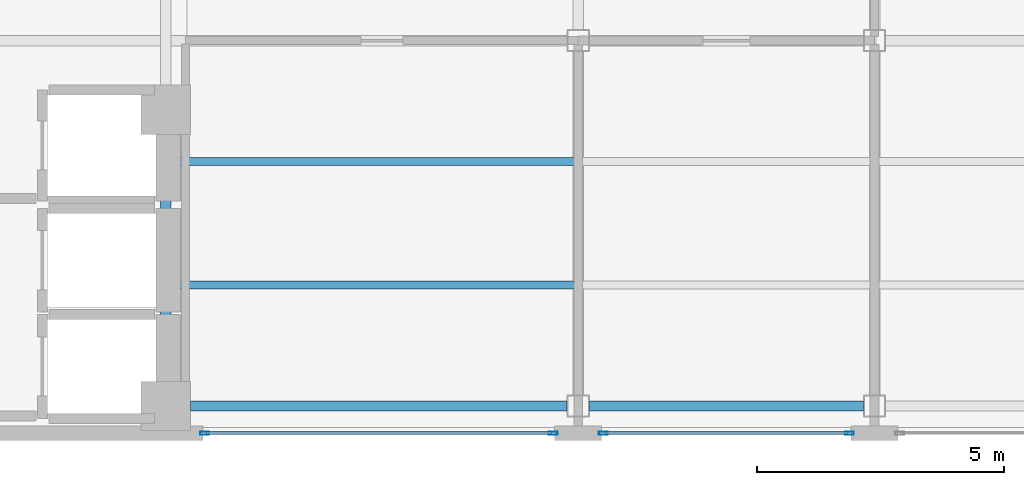
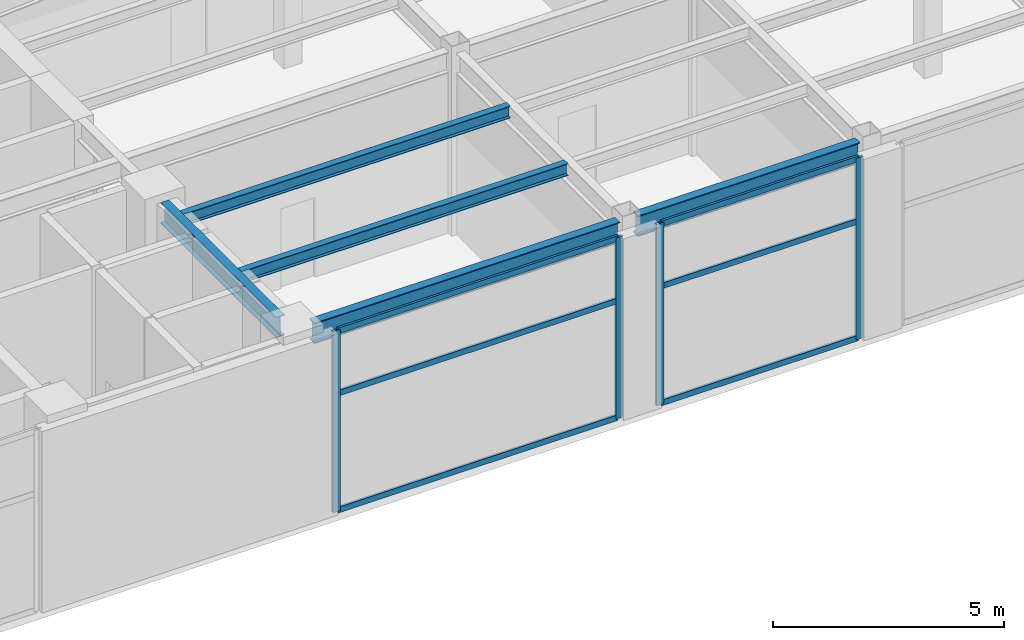
# One storey, part 4 of 16: 10 members, 5 beams, 2 elements without a shape of their own.
"""IFC4 building model written with IfcOpenShell, lengths in metres."""

from ifc_helpers import new_model, si_unit, direction, frame, origin, origin_2d, place, context, subcontext, project, spatial, hollow_rectangle, i_section, extrude, material, layer, layer_set, material_profile, profile_set, type_object, element, aggregate, save


model = new_model("IFC4")

# Units and contexts
model_context = context("Model", 3, precision=1e-05, world=origin(), true_north=direction((0.0, 1.0)))
body_context = subcontext(model_context, "Body", "Model", "MODEL_VIEW")
ifc_project = project(units=[si_unit("LENGTHUNIT", "METRE"), si_unit("AREAUNIT", "SQUARE_METRE"), si_unit("VOLUMEUNIT", "CUBIC_METRE"), si_unit("PLANEANGLEUNIT", "RADIAN"), si_unit("MASSUNIT", "GRAM", prefix="KILO")], contexts=[model_context])

# Site, building, storey
site_placement = place(None, origin())
site = spatial("IfcSite", under=ifc_project, at=site_placement, CompositionType="ELEMENT")
building_placement = place(site_placement, origin())
building = spatial("IfcBuilding", under=site, at=building_placement, Name="Mawjaban Terraces University", CompositionType="ELEMENT")
storey_placement = place(building_placement, frame((0.0, 0.0, 170.800048828125)))
storey = spatial("IfcBuildingStorey", under=building, at=storey_placement, Name="L41", CompositionType="ELEMENT", Elevation=170.800048828125)

# Beams
ifc_material_1 = material(Name="Steel ASTM A572 Grade 50", Category="steel")
ifc_material_profile_1 = material_profile(ifc_material_1, i_section(OverallWidth=0.2119140625, OverallDepth=0.5439453125, WebThickness=0.01318359375, FlangeThickness=0.021240234375, at=origin_2d()), Name="W530X123")
ifc_profile_set_1 = profile_set([ifc_material_profile_1], Name="Steel ASTM A572 Grade 50")
beam_type_1 = type_object("IfcBeamType", Name="Beam_B_W530X123", PredefinedType="BEAM", material=ifc_profile_set_1)
beam_1_placement = place(storey_placement, frame((38.14990234375, 0.550048828125, 4.51806640625), z_axis=(1.0, 0.0, 0.0), x_axis=(0.0, 1.0, 0.0)))
element("IfcBeam", 1, at=beam_1_placement, inside=storey, type_object=beam_type_1, Name="L41 Beam BM-L41-EW-01", PredefinedType="BEAM", context=body_context, shape_type="SweptSolid", body=[
    extrude(i_section(OverallWidth=0.2119140625, OverallDepth=0.5439453125, WebThickness=0.01318359375, FlangeThickness=0.021240234375, at=origin_2d()), origin(), (0.0, 0.0, 1.0), 7.625),
])
beam_2_placement = place(storey_placement, frame((46.22509765625, 0.550048828125, 4.51806640625), z_axis=(1.0, 0.0, 0.0), x_axis=(0.0, 1.0, 0.0)))
element("IfcBeam", 2, at=beam_2_placement, inside=storey, type_object=beam_type_1, Name="L41 Beam BM-L41-EW-02", PredefinedType="BEAM", context=body_context, shape_type="SweptSolid", body=[
    extrude(i_section(OverallWidth=0.2119140625, OverallDepth=0.5439453125, WebThickness=0.01318359375, FlangeThickness=0.021240234375, at=origin_2d()), origin(), (0.0, 0.0, 1.0), 5.5498046875),
])
beam_3_placement = place(storey_placement, frame((37.64990234375, 1.050048828125, 4.51806640625), z_axis=(0.0, 1.0, 0.0), x_axis=(-1.0, 0.0, 0.0)))
element("IfcBeam", 3, at=beam_3_placement, inside=storey, type_object=beam_type_1, Name="L41 Beam BM-L41-NS-05", PredefinedType="BEAM", context=body_context, shape_type="SweptSolid", body=[
    extrude(i_section(OverallWidth=0.2119140625, OverallDepth=0.5439453125, WebThickness=0.01318359375, FlangeThickness=0.021240234375, at=origin_2d()), origin(), (0.0, 0.0, 1.0), 5.0),
])
ifc_material_profile_2 = material_profile(ifc_material_1, i_section(OverallWidth=0.1669921875, OverallDepth=0.318115234375, WebThickness=0.007568359375, FlangeThickness=0.01318359375, at=origin_2d()), Name="W310X52")
ifc_profile_set_2 = profile_set([ifc_material_profile_2], Name="Steel ASTM A572 Grade 50")
beam_type_2 = type_object("IfcBeamType", Name="Beam_J_W310X52", PredefinedType="JOIST", material=ifc_profile_set_2)
for number, where, z_axis, x_axis, name in (
    (4, (37.72998046875, 3.0, 4.630859375), (1.0, 0.0, 0.0), (0.0, 1.0, 0.0), "L41 Composite Joist JST-L41-01"),
    (5, (37.72998046875, 5.5, 4.630859375), (1.0, 0.0, 0.0), (0.0, 1.0, 0.0), "L41 Composite Joist JST-L41-04"),
):
    element("IfcBeam", number, at=place(storey_placement, frame(where, z_axis=z_axis, x_axis=x_axis)), inside=storey, type_object=beam_type_2, Name=name, PredefinedType="JOIST", context=body_context, shape_type="SweptSolid", body=[
        extrude(i_section(OverallWidth=0.1669921875, OverallDepth=0.318115234375, WebThickness=0.007568359375, FlangeThickness=0.01318359375, at=origin_2d()), origin(), (0.0, 0.0, 1.0), 8.18994140625),
    ])

# Curtain wall, members
ifc_material_2 = material(Name="Anodised aluminium 6063-T6 and solar-control low-E glass", Category="aluminium")
ifc_layer = layer(ifc_material_2, 0.18994140625)
ifc_layer_set = layer_set([ifc_layer], Name="Anodised aluminium 6063-T6 and solar-control low-E glass")
curtain_wall_type = type_object("IfcCurtainWallType", Name="CWSystem_05_SkyLobby", PredefinedType="NOTDEFINED", material=ifc_layer_set)
curtain_wall_1_placement = place(storey_placement, origin())
curtain_wall_1 = element("IfcCurtainWall", 6, at=curtain_wall_1_placement, inside=storey, type_object=curtain_wall_type, Name="L41 Curtain Wall CW-05 Run 1.2", PredefinedType="NOTDEFINED")
ifc_material_3 = material(Name="Anodised aluminium 6063-T6", Category="aluminium")
ifc_material_profile_3 = material_profile(ifc_material_3, hollow_rectangle(XDim=0.06494140625, YDim=0.179931640625, WallThickness=0.00390625, at=origin_2d()), Name="ALU180X65X4")
ifc_profile_set_3 = profile_set([ifc_material_profile_3], Name="Anodised aluminium 6063-T6")
member_type_1 = type_object("IfcMemberType", Name="Mullion_CW-05", PredefinedType="MULLION", material=ifc_profile_set_3)
member_1_placement = place(storey_placement, frame((38.4326171875, 0.0, 0.0), z_axis=(0.0, 0.0, 1.0), x_axis=(0.0, 1.0, 0.0)))
member_1 = element("IfcMember", 7, at=member_1_placement, type_object=member_type_1, Name="CW-05 mullion 1", PredefinedType="MULLION", context=body_context, shape_type="SweptSolid", body=[
    extrude(hollow_rectangle(XDim=0.06494140625, YDim=0.179931640625, WallThickness=0.00390625, at=origin_2d()), origin(), (0.0, 0.0, 1.0), 4.7900390625),
])
member_2_placement = place(storey_placement, frame((45.492431640625, 0.0, 0.0), z_axis=(0.0, 0.0, 1.0), x_axis=(0.0, 1.0, 0.0)))
member_2 = element("IfcMember", 8, at=member_2_placement, type_object=member_type_1, Name="CW-05 mullion 2", PredefinedType="MULLION", context=body_context, shape_type="SweptSolid", body=[
    extrude(hollow_rectangle(XDim=0.06494140625, YDim=0.179931640625, WallThickness=0.00390625, at=origin_2d()), origin(), (0.0, 0.0, 1.0), 4.7900390625),
])

curtain_wall_2_placement = place(storey_placement, origin())
curtain_wall_2 = element("IfcCurtainWall", 9, at=curtain_wall_2_placement, inside=storey, type_object=curtain_wall_type, Name="L41 Curtain Wall CW-05 Run 1.3", PredefinedType="NOTDEFINED")
member_3_placement = place(storey_placement, frame((46.507568359375, 0.0, 0.0), z_axis=(0.0, 0.0, 1.0), x_axis=(0.0, 1.0, 0.0)))
member_3 = element("IfcMember", 10, at=member_3_placement, type_object=member_type_1, Name="CW-05 mullion 1", PredefinedType="MULLION", context=body_context, shape_type="SweptSolid", body=[
    extrude(hollow_rectangle(XDim=0.06494140625, YDim=0.179931640625, WallThickness=0.00390625, at=origin_2d()), origin(), (0.0, 0.0, 1.0), 4.7900390625),
])
member_4_placement = place(storey_placement, frame((51.492431640625, 0.0, 0.0), z_axis=(0.0, 0.0, 1.0), x_axis=(0.0, 1.0, 0.0)))
member_4 = element("IfcMember", 11, at=member_4_placement, type_object=member_type_1, Name="CW-05 mullion 2", PredefinedType="MULLION", context=body_context, shape_type="SweptSolid", body=[
    extrude(hollow_rectangle(XDim=0.06494140625, YDim=0.179931640625, WallThickness=0.00390625, at=origin_2d()), origin(), (0.0, 0.0, 1.0), 4.7900390625),
])

# Member
ifc_material_profile_4 = material_profile(ifc_material_3, hollow_rectangle(XDim=0.06005859375, YDim=0.14990234375, WallThickness=0.00390625, at=origin_2d()), Name="ALU150X60X4")
ifc_profile_set_4 = profile_set([ifc_material_profile_4], Name="Anodised aluminium 6063-T6")
member_type_2 = type_object("IfcMemberType", Name="Transom_CW-05", PredefinedType="NOTDEFINED", material=ifc_profile_set_4)
member_5_placement = place(storey_placement, frame((38.465087890625, 0.0, 0.030029296875), z_axis=(1.0, 0.0, 0.0), x_axis=(0.0, 1.0, 0.0)))
member_5 = element("IfcMember", 12, at=member_5_placement, type_object=member_type_2, Name="CW-05 transom 1.1", ObjectType="TRANSOM", PredefinedType="USERDEFINED", context=body_context, shape_type="SweptSolid", body=[
    extrude(hollow_rectangle(XDim=0.06005859375, YDim=0.14990234375, WallThickness=0.00390625, at=origin_2d()), origin(), (0.0, 0.0, 1.0), 6.994873046875),
])

member_6_placement = place(storey_placement, frame((38.465087890625, 0.0, 3.113037109375), z_axis=(1.0, 0.0, 0.0), x_axis=(0.0, 1.0, 0.0)))
member_6 = element("IfcMember", 13, at=member_6_placement, type_object=member_type_2, Name="CW-05 transom 1.2", ObjectType="TRANSOM", PredefinedType="USERDEFINED", context=body_context, shape_type="SweptSolid", body=[
    extrude(hollow_rectangle(XDim=0.06005859375, YDim=0.14990234375, WallThickness=0.00390625, at=origin_2d()), origin(), (0.0, 0.0, 1.0), 6.994873046875),
])

member_7_placement = place(storey_placement, frame((38.465087890625, 0.0, 4.760009765625), z_axis=(1.0, 0.0, 0.0), x_axis=(0.0, 1.0, 0.0)))
member_7 = element("IfcMember", 14, at=member_7_placement, type_object=member_type_2, Name="CW-05 transom 1.3", ObjectType="TRANSOM", PredefinedType="USERDEFINED", context=body_context, shape_type="SweptSolid", body=[
    extrude(hollow_rectangle(XDim=0.06005859375, YDim=0.14990234375, WallThickness=0.00390625, at=origin_2d()), origin(), (0.0, 0.0, 1.0), 6.994873046875),
])

aggregate(curtain_wall_1, [member_1, member_2, member_5, member_6, member_7])

member_8_placement = place(storey_placement, frame((46.5400390625, 0.0, 0.030029296875), z_axis=(1.0, 0.0, 0.0), x_axis=(0.0, 1.0, 0.0)))
member_8 = element("IfcMember", 15, at=member_8_placement, type_object=member_type_2, Name="CW-05 transom 1.1", ObjectType="TRANSOM", PredefinedType="USERDEFINED", context=body_context, shape_type="SweptSolid", body=[
    extrude(hollow_rectangle(XDim=0.06005859375, YDim=0.14990234375, WallThickness=0.00390625, at=origin_2d()), origin(), (0.0, 0.0, 1.0), 4.919921875),
])

member_9_placement = place(storey_placement, frame((46.5400390625, 0.0, 3.113037109375), z_axis=(1.0, 0.0, 0.0), x_axis=(0.0, 1.0, 0.0)))
member_9 = element("IfcMember", 16, at=member_9_placement, type_object=member_type_2, Name="CW-05 transom 1.2", ObjectType="TRANSOM", PredefinedType="USERDEFINED", context=body_context, shape_type="SweptSolid", body=[
    extrude(hollow_rectangle(XDim=0.06005859375, YDim=0.14990234375, WallThickness=0.00390625, at=origin_2d()), origin(), (0.0, 0.0, 1.0), 4.919921875),
])

member_10_placement = place(storey_placement, frame((46.5400390625, 0.0, 4.760009765625), z_axis=(1.0, 0.0, 0.0), x_axis=(0.0, 1.0, 0.0)))
member_10 = element("IfcMember", 17, at=member_10_placement, type_object=member_type_2, Name="CW-05 transom 1.3", ObjectType="TRANSOM", PredefinedType="USERDEFINED", context=body_context, shape_type="SweptSolid", body=[
    extrude(hollow_rectangle(XDim=0.06005859375, YDim=0.14990234375, WallThickness=0.00390625, at=origin_2d()), origin(), (0.0, 0.0, 1.0), 4.919921875),
])

aggregate(curtain_wall_2, [member_3, member_4, member_8, member_9, member_10])

save(model, "model.ifc")
